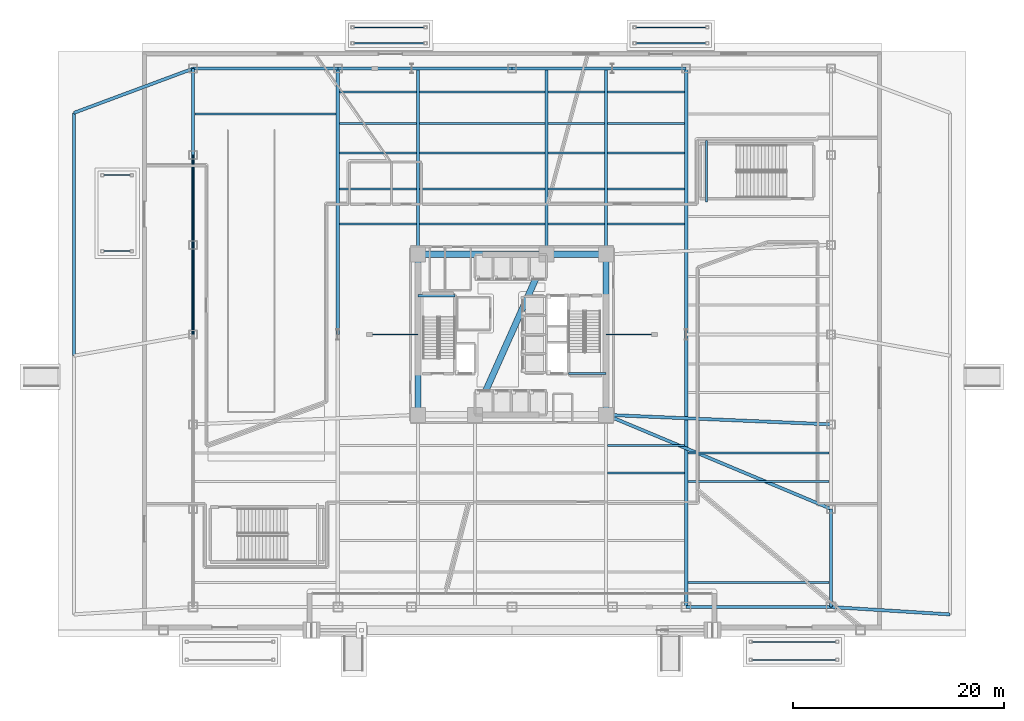
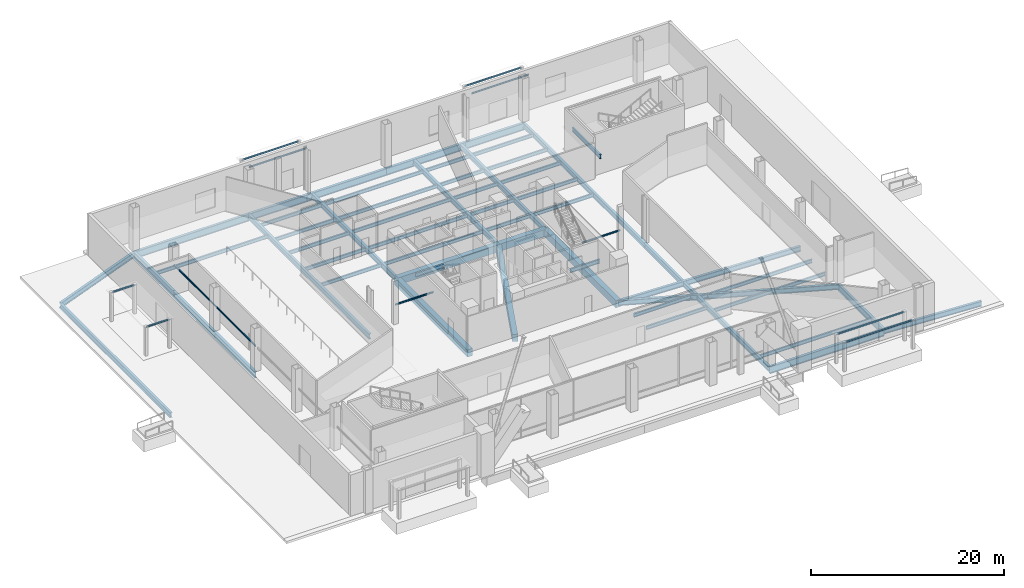
# One storey, part 10 of 27: 57 beams, 10 members.
"""IFC4 building model written with IfcOpenShell, lengths in metres."""

from ifc_helpers import new_model, si_unit, direction, frame, origin, origin_2d, place, context, subcontext, project, spatial, rectangle, i_section, extrude, material, material_profile, profile_set, type_object, element, save


model = new_model("IFC4")

# Units and contexts
model_context = context("Model", 3, precision=1e-05, world=origin(), true_north=direction((0.0, 1.0)))
body_context = subcontext(model_context, "Body", "Model", "MODEL_VIEW")
ifc_project = project(units=[si_unit("LENGTHUNIT", "METRE"), si_unit("AREAUNIT", "SQUARE_METRE"), si_unit("VOLUMEUNIT", "CUBIC_METRE"), si_unit("PLANEANGLEUNIT", "RADIAN"), si_unit("MASSUNIT", "GRAM", prefix="KILO")], contexts=[model_context])

# Site, building, storey
site_placement = place(None, origin())
site = spatial("IfcSite", under=ifc_project, at=site_placement, CompositionType="ELEMENT")
building_placement = place(site_placement, origin())
building = spatial("IfcBuilding", under=site, at=building_placement, Name="Tharavind Bronze Gate", CompositionType="ELEMENT")
storey_placement = place(building_placement, origin())
storey = spatial("IfcBuildingStorey", under=building, at=storey_placement, Name="L00", CompositionType="ELEMENT", Elevation=0.0)

# Members
ifc_material_1 = material(Name="Steel S355", Category="steel")
ifc_material_profile_1 = material_profile(ifc_material_1, i_section(OverallWidth=0.10009765625, OverallDepth=0.199951171875, WebThickness=0.005615234375, FlangeThickness=0.008544921875, at=origin_2d()), Name="IPE200")
ifc_profile_set_1 = profile_set([ifc_material_profile_1], Name="Steel S355")
member_type_1 = type_object("IfcMemberType", Name="CANOPY ROOF PURLIN IPE200", PredefinedType="PURLIN", material=ifc_profile_set_1)
for number, where, z_axis, x_axis, name in (
    (1, (22.60009765625, -30.800048828125, 3.60009765625), (1.0, 0.0, 0.0), (0.0, 1.0, 0.0), "L00 canopy purlin CN2.1"),
    (2, (22.60009765625, -29.10009765625, 3.60009765625), (1.0, 0.0, 0.0), (0.0, 1.0, 0.0), "L00 canopy purlin CN2.2"),
):
    element("IfcMember", number, at=place(storey_placement, frame(where, z_axis=z_axis, x_axis=x_axis)), inside=storey, type_object=member_type_1, Name=name, PredefinedType="PURLIN", context=body_context, shape_type="SweptSolid", body=[
        extrude(i_section(OverallWidth=0.10009765625, OverallDepth=0.199951171875, WebThickness=0.005615234375, FlangeThickness=0.008544921875, at=origin_2d()), origin(), (0.0, 0.0, 1.0), 8.199951171875),
    ])
for number, where, z_axis, x_axis, name in (
    (3, (-15.10009765625, 27.60009765625, 3.60009765625), (1.0, 0.0, 0.0), (0.0, 1.0, 0.0), "L00 canopy purlin CN3.1"),
    (4, (-15.10009765625, 29.10009765625, 3.60009765625), (1.0, 0.0, 0.0), (0.0, 1.0, 0.0), "L00 canopy purlin CN3.2"),
):
    element("IfcMember", number, at=place(storey_placement, frame(where, z_axis=z_axis, x_axis=x_axis)), inside=storey, type_object=member_type_1, Name=name, PredefinedType="PURLIN", context=body_context, shape_type="SweptSolid", body=[
        extrude(i_section(OverallWidth=0.10009765625, OverallDepth=0.199951171875, WebThickness=0.005615234375, FlangeThickness=0.008544921875, at=origin_2d()), origin(), (0.0, 0.0, 1.0), 6.900146484375),
    ])
for number, where, z_axis, x_axis, name in (
    (5, (11.60009765625, 27.60009765625, 3.60009765625), (1.0, 0.0, 0.0), (0.0, 1.0, 0.0), "L00 canopy purlin CN4.1"),
    (6, (11.60009765625, 29.10009765625, 3.60009765625), (1.0, 0.0, 0.0), (0.0, 1.0, 0.0), "L00 canopy purlin CN4.2"),
):
    element("IfcMember", number, at=place(storey_placement, frame(where, z_axis=z_axis, x_axis=x_axis)), inside=storey, type_object=member_type_1, Name=name, PredefinedType="PURLIN", context=body_context, shape_type="SweptSolid", body=[
        extrude(i_section(OverallWidth=0.10009765625, OverallDepth=0.199951171875, WebThickness=0.005615234375, FlangeThickness=0.008544921875, at=origin_2d()), origin(), (0.0, 0.0, 1.0), 6.89990234375),
    ])
for number, where, z_axis, x_axis, name in (
    (7, (-38.800048828125, 7.89990234375, 3.60009765625), (1.0, 0.0, 0.0), (0.0, 1.0, 0.0), "L00 canopy purlin CN5.1"),
    (8, (-38.800048828125, 15.10009765625, 3.60009765625), (1.0, 0.0, 0.0), (0.0, 1.0, 0.0), "L00 canopy purlin CN5.2"),
):
    element("IfcMember", number, at=place(storey_placement, frame(where, z_axis=z_axis, x_axis=x_axis)), inside=storey, type_object=member_type_1, Name=name, PredefinedType="PURLIN", context=body_context, shape_type="SweptSolid", body=[
        extrude(i_section(OverallWidth=0.10009765625, OverallDepth=0.199951171875, WebThickness=0.005615234375, FlangeThickness=0.008544921875, at=origin_2d()), origin(), (0.0, 0.0, 1.0), 2.800048828125),
    ])

# Beams
ifc_material_2 = material(Name="Concrete C50/60", Category="concrete")
ifc_material_profile_2 = material_profile(ifc_material_2, rectangle(XDim=0.60009765625, YDim=0.89990234375, at=origin_2d()), Name="RCBM600X900")
ifc_profile_set_2 = profile_set([ifc_material_profile_2], Name="Concrete C50/60")
beam_type_1 = type_object("IfcBeamType", Name="CORE COUPLING BEAM RC600X900", PredefinedType="BEAM", material=ifc_profile_set_2)
beam_1_placement = place(storey_placement, frame((8.89990234375, -7.60009765625, -0.75), z_axis=(0.0, 1.0, 0.0), x_axis=(-1.0, 0.0, 0.0)))
element("IfcBeam", 9, at=beam_1_placement, inside=storey, type_object=beam_type_1, Name="L00 core coupling beam rc600x900 BM-L00-CR3", PredefinedType="BEAM", context=body_context, shape_type="SweptSolid", body=[
    extrude(rectangle(XDim=0.60009765625, YDim=0.89990234375, at=origin_2d()), origin(), (0.0, 0.0, 1.0), 15.2001953125),
])
beam_2_placement = place(storey_placement, frame((8.89990234375, 7.60009765625, -0.75), z_axis=(-1.0, 0.0, 0.0), x_axis=(0.0, -1.0, 0.0)))
element("IfcBeam", 10, at=beam_2_placement, inside=storey, type_object=beam_type_1, Name="L00 core coupling beam rc600x900 BM-L00-CR4", PredefinedType="BEAM", context=body_context, shape_type="SweptSolid", body=[
    extrude(rectangle(XDim=0.60009765625, YDim=0.89990234375, at=origin_2d()), origin(), (0.0, 0.0, 1.0), 5.619873046875),
])
beam_3_placement = place(storey_placement, frame((3.280029296875, 7.60009765625, -0.75), z_axis=(-1.0, 0.0, 0.0), x_axis=(0.0, -1.0, 0.0)))
element("IfcBeam", 11, at=beam_3_placement, inside=storey, type_object=beam_type_1, Name="L00 core coupling beam rc600x900 BM-L00-CR5", PredefinedType="BEAM", context=body_context, shape_type="SweptSolid", body=[
    extrude(rectangle(XDim=0.60009765625, YDim=0.89990234375, at=origin_2d()), origin(), (0.0, 0.0, 1.0), 12.179931640625),
])
beam_4_placement = place(storey_placement, frame((-8.89990234375, 7.60009765625, -0.75), z_axis=(0.0, -1.0, 0.0), x_axis=(1.0, 0.0, 0.0)))
element("IfcBeam", 12, at=beam_4_placement, inside=storey, type_object=beam_type_1, Name="L00 core coupling beam rc600x900 BM-L00-CR6", PredefinedType="BEAM", context=body_context, shape_type="SweptSolid", body=[
    extrude(rectangle(XDim=0.60009765625, YDim=0.89990234375, at=origin_2d()), origin(), (0.0, 0.0, 1.0), 15.2001953125),
])
beam_5_placement = place(storey_placement, frame((-3.5, -7.60009765625, -0.75), z_axis=(0.407361644566, 0.913266932795, 0.0), x_axis=(-0.913266932795, 0.407361644566, 0.0)))
element("IfcBeam", 13, at=beam_5_placement, inside=storey, type_object=beam_type_1, Name="L00 core coupling beam rc600x900 BM-L00-CR7", PredefinedType="BEAM", context=body_context, shape_type="SweptSolid", body=[
    extrude(rectangle(XDim=0.60009765625, YDim=0.89990234375, at=origin_2d()), origin(), (0.0, 0.0, 1.0), 16.643798828125),
])
ifc_material_profile_3 = material_profile(ifc_material_1, i_section(OverallWidth=0.10009765625, OverallDepth=0.199951171875, WebThickness=0.005615234375, FlangeThickness=0.008544921875, at=origin_2d()), Name="IPE200")
ifc_profile_set_3 = profile_set([ifc_material_profile_3], Name="Steel S355")
beam_type_2 = type_object("IfcBeamType", Name="OPENING LINTEL BEAM IPE200", PredefinedType="LINTEL", material=ifc_profile_set_3)
for number, where, z_axis, x_axis, name in (
    (14, (-13.5, 0.0, 2.35009765625), (1.0, 0.0, 0.0), (0.0, 1.0, 0.0), "L00 opening lintel beam ipe200 BM-L00-LNT1"),
    (15, (8.89990234375, 0.0, 2.35009765625), (1.0, 0.0, 0.0), (0.0, 1.0, 0.0), "L00 opening lintel beam ipe200 BM-L00-LNT2"),
):
    element("IfcBeam", number, at=place(storey_placement, frame(where, z_axis=z_axis, x_axis=x_axis)), inside=storey, type_object=beam_type_2, Name=name, PredefinedType="LINTEL", context=body_context, shape_type="SweptSolid", body=[
        extrude(i_section(OverallWidth=0.10009765625, OverallDepth=0.199951171875, WebThickness=0.005615234375, FlangeThickness=0.008544921875, at=origin_2d()), origin(), (0.0, 0.0, 1.0), 4.60009765625),
    ])
ifc_material_profile_4 = material_profile(ifc_material_1, i_section(OverallWidth=0.300048828125, OverallDepth=0.64990234375, WebThickness=0.01611328125, FlangeThickness=0.031005859375, at=origin_2d()), Name="HE650B")
ifc_profile_set_4 = profile_set([ifc_material_profile_4], Name="Steel S355")
beam_type_3 = type_object("IfcBeamType", Name="PRIMARY GIRDER HE650B", PredefinedType="USERDEFINED", material=ifc_profile_set_4)
beam_6_placement = place(storey_placement, frame((30.199951171875, -25.800048828125, -0.625), z_axis=(0.998087077813, -0.061823823098, 0.0), x_axis=(0.061823823098, 0.998087077813, 0.0)))
element("IfcBeam", 16, at=beam_6_placement, inside=storey, type_object=beam_type_3, Name="L00 primary girder he650b BM-L00-BEX8", ObjectType="GIRDER", PredefinedType="USERDEFINED", context=body_context, shape_type="SweptSolid", body=[
    extrude(i_section(OverallWidth=0.300048828125, OverallDepth=0.64990234375, WebThickness=0.01611328125, FlangeThickness=0.031005859375, at=origin_2d()), origin(), (0.0, 0.0, 1.0), 11.32177734375),
])
beam_7_placement = place(storey_placement, frame((-41.5, 21.0, -0.625), z_axis=(0.937349705603, 0.348389910024, 0.0), x_axis=(-0.348389910024, 0.937349705603, 0.0)))
element("IfcBeam", 17, at=beam_7_placement, inside=storey, type_object=beam_type_3, Name="L00 primary girder he650b BM-L00-BWX56", ObjectType="GIRDER", PredefinedType="USERDEFINED", context=body_context, shape_type="SweptSolid", body=[
    extrude(i_section(OverallWidth=0.300048828125, OverallDepth=0.64990234375, WebThickness=0.01611328125, FlangeThickness=0.031005859375, at=origin_2d()), origin(), (0.0, 0.0, 1.0), 12.055419921875),
])
beam_8_placement = place(storey_placement, frame((-41.5, -2.0, -0.625), z_axis=(0.0, 1.0, 0.0), x_axis=(-1.0, 0.0, 0.0)))
element("IfcBeam", 18, at=beam_8_placement, inside=storey, type_object=beam_type_3, Name="L00 primary girder he650b BM-L00-BWN1", ObjectType="GIRDER", PredefinedType="USERDEFINED", context=body_context, shape_type="SweptSolid", body=[
    extrude(i_section(OverallWidth=0.300048828125, OverallDepth=0.64990234375, WebThickness=0.01611328125, FlangeThickness=0.031005859375, at=origin_2d()), origin(), (0.0, 0.0, 1.0), 23.0),
])
beam_9_placement = place(storey_placement, frame((-16.5, 0.0, -0.625), z_axis=(0.0, 1.0, 0.0), x_axis=(-1.0, 0.0, 0.0)))
element("IfcBeam", 19, at=beam_9_placement, inside=storey, type_object=beam_type_3, Name="L00 primary girder he650b BM-L00-GS1N", ObjectType="GIRDER", PredefinedType="USERDEFINED", context=body_context, shape_type="SweptSolid", body=[
    extrude(i_section(OverallWidth=0.300048828125, OverallDepth=0.64990234375, WebThickness=0.01611328125, FlangeThickness=0.031005859375, at=origin_2d()), origin(), (0.0, 0.0, 1.0), 25.199951171875),
])
beam_10_placement = place(storey_placement, frame((16.5, -25.800048828125, -0.625), z_axis=(0.0, 1.0, 0.0), x_axis=(-1.0, 0.0, 0.0)))
element("IfcBeam", 20, at=beam_10_placement, inside=storey, type_object=beam_type_3, Name="L00 primary girder he650b BM-L00-GS5S", ObjectType="GIRDER", PredefinedType="USERDEFINED", context=body_context, shape_type="SweptSolid", body=[
    extrude(i_section(OverallWidth=0.300048828125, OverallDepth=0.64990234375, WebThickness=0.01611328125, FlangeThickness=0.031005859375, at=origin_2d()), origin(), (0.0, 0.0, 1.0), 25.800048828125),
])
beam_11_placement = place(storey_placement, frame((16.5, 0.0, -0.625), z_axis=(0.0, 1.0, 0.0), x_axis=(-1.0, 0.0, 0.0)))
element("IfcBeam", 21, at=beam_11_placement, inside=storey, type_object=beam_type_3, Name="L00 primary girder he650b BM-L00-GS5N", ObjectType="GIRDER", PredefinedType="USERDEFINED", context=body_context, shape_type="SweptSolid", body=[
    extrude(i_section(OverallWidth=0.300048828125, OverallDepth=0.64990234375, WebThickness=0.01611328125, FlangeThickness=0.031005859375, at=origin_2d()), origin(), (0.0, 0.0, 1.0), 25.199951171875),
])
for number, where, z_axis, x_axis, name in (
    (22, (-8.89990234375, 25.199951171875, -0.625), (0.0, -1.0, 0.0), (1.0, 0.0, 0.0), "L00 primary girder he650b BM-L00-GN2"),
    (23, (3.280029296875, 25.199951171875, -0.625), (0.0, -1.0, 0.0), (1.0, 0.0, 0.0), "L00 primary girder he650b BM-L00-GN3"),
    (24, (8.89990234375, 25.199951171875, -0.625), (0.0, -1.0, 0.0), (1.0, 0.0, 0.0), "L00 primary girder he650b BM-L00-GN4"),
):
    element("IfcBeam", number, at=place(storey_placement, frame(where, z_axis=z_axis, x_axis=x_axis)), inside=storey, type_object=beam_type_3, Name=name, ObjectType="GIRDER", PredefinedType="USERDEFINED", context=body_context, shape_type="SweptSolid", body=[
        extrude(i_section(OverallWidth=0.300048828125, OverallDepth=0.64990234375, WebThickness=0.01611328125, FlangeThickness=0.031005859375, at=origin_2d()), origin(), (0.0, 0.0, 1.0), 17.599853515625),
    ])
beam_12_placement = place(storey_placement, frame((30.199951171875, -16.5, -0.625), z_axis=(-0.922693794082, 0.385533607307, 0.0), x_axis=(-0.385533607307, -0.922693794082, 0.0)))
element("IfcBeam", 25, at=beam_12_placement, inside=storey, type_object=beam_type_3, Name="L00 primary girder he650b BM-L00-GE0", ObjectType="GIRDER", PredefinedType="USERDEFINED", context=body_context, shape_type="SweptSolid", body=[
    extrude(i_section(OverallWidth=0.300048828125, OverallDepth=0.64990234375, WebThickness=0.01611328125, FlangeThickness=0.031005859375, at=origin_2d()), origin(), (0.0, 0.0, 1.0), 23.084716796875),
])
beam_13_placement = place(storey_placement, frame((30.199951171875, -8.5, -0.625), z_axis=(-0.999108710794, 0.04221118354, 0.0), x_axis=(-0.04221118354, -0.999108710794, 0.0)))
element("IfcBeam", 26, at=beam_13_placement, inside=storey, type_object=beam_type_3, Name="L00 primary girder he650b BM-L00-GE1", ObjectType="GIRDER", PredefinedType="USERDEFINED", context=body_context, shape_type="SweptSolid", body=[
    extrude(i_section(OverallWidth=0.300048828125, OverallDepth=0.64990234375, WebThickness=0.01611328125, FlangeThickness=0.031005859375, at=origin_2d()), origin(), (0.0, 0.0, 1.0), 21.319091796875),
])
ifc_material_profile_5 = material_profile(ifc_material_1, i_section(OverallWidth=0.199951171875, OverallDepth=0.5, WebThickness=0.01025390625, FlangeThickness=0.01611328125, at=origin_2d()), Name="IPE500")
ifc_profile_set_5 = profile_set([ifc_material_profile_5], Name="Steel S355")
beam_type_4 = type_object("IfcBeamType", Name="PRIMARY GIRDER IPE500", PredefinedType="USERDEFINED", material=ifc_profile_set_5)
beam_14_placement = place(storey_placement, frame((-8.89990234375, 3.679931640625, 2.300048828125), z_axis=(1.0, 0.0, 0.0), x_axis=(0.0, 1.0, 0.0)))
element("IfcBeam", 27, at=beam_14_placement, inside=storey, type_object=beam_type_4, Name="L00 primary girder ipe500 BM-LD-ST1-L00-1", ObjectType="GIRDER", PredefinedType="USERDEFINED", context=body_context, shape_type="SweptSolid", body=[
    extrude(i_section(OverallWidth=0.199951171875, OverallDepth=0.5, WebThickness=0.01025390625, FlangeThickness=0.01611328125, at=origin_2d()), origin(), (0.0, 0.0, 1.0), 3.5),
])
beam_15_placement = place(storey_placement, frame((5.35009765625, -3.679931640625, 2.300048828125), z_axis=(1.0, 0.0, 0.0), x_axis=(0.0, 1.0, 0.0)))
element("IfcBeam", 28, at=beam_15_placement, inside=storey, type_object=beam_type_4, Name="L00 primary girder ipe500 BM-LD-ST2-L00-1", ObjectType="GIRDER", PredefinedType="USERDEFINED", context=body_context, shape_type="SweptSolid", body=[
    extrude(i_section(OverallWidth=0.199951171875, OverallDepth=0.5, WebThickness=0.01025390625, FlangeThickness=0.01611328125, at=origin_2d()), origin(), (0.0, 0.0, 1.0), 3.5498046875),
])
beam_16_placement = place(storey_placement, frame((18.419921875, 12.550048828125, 2.300048828125), z_axis=(0.0, 1.0, 0.0), x_axis=(-1.0, 0.0, 0.0)))
element("IfcBeam", 29, at=beam_16_placement, inside=storey, type_object=beam_type_4, Name="L00 primary girder ipe500 BM-LD-ST4-L00-1", ObjectType="GIRDER", PredefinedType="USERDEFINED", context=body_context, shape_type="SweptSolid", body=[
    extrude(i_section(OverallWidth=0.199951171875, OverallDepth=0.5, WebThickness=0.01025390625, FlangeThickness=0.01611328125, at=origin_2d()), origin(), (0.0, 0.0, 1.0), 5.849853515625),
])
ifc_material_profile_6 = material_profile(ifc_material_1, i_section(OverallWidth=0.300048828125, OverallDepth=0.800048828125, WebThickness=0.017578125, FlangeThickness=0.032958984375, at=origin_2d()), Name="HE800B")
ifc_profile_set_6 = profile_set([ifc_material_profile_6], Name="Steel S355")
beam_type_5 = type_object("IfcBeamType", Name="RING GIRDER HE800B", PredefinedType="USERDEFINED", material=ifc_profile_set_6)
beam_17_placement = place(storey_placement, frame((30.199951171875, -25.800048828125, -0.699951171875), z_axis=(0.0, 1.0, 0.0), x_axis=(-1.0, 0.0, 0.0)))
element("IfcBeam", 30, at=beam_17_placement, inside=storey, type_object=beam_type_5, Name="L00 ring girder he800b BM-L00-PE1", ObjectType="GIRDER", PredefinedType="USERDEFINED", context=body_context, shape_type="SweptSolid", body=[
    extrude(i_section(OverallWidth=0.300048828125, OverallDepth=0.800048828125, WebThickness=0.017578125, FlangeThickness=0.032958984375, at=origin_2d()), origin(), (0.0, 0.0, 1.0), 9.300048828125),
])
for number, where, z_axis, x_axis, name in (
    (31, (-30.199951171875, 0.0, -0.699951171875), (0.0, 1.0, 0.0), (-1.0, 0.0, 0.0), "L00 ring girder he800b BM-L00-PW4"),
    (32, (-30.199951171875, 8.5, -0.699951171875), (0.0, 1.0, 0.0), (-1.0, 0.0, 0.0), "L00 ring girder he800b BM-L00-PW5"),
):
    element("IfcBeam", number, at=place(storey_placement, frame(where, z_axis=z_axis, x_axis=x_axis)), inside=storey, type_object=beam_type_5, Name=name, ObjectType="GIRDER", PredefinedType="USERDEFINED", context=body_context, shape_type="SweptSolid", body=[
        extrude(i_section(OverallWidth=0.300048828125, OverallDepth=0.800048828125, WebThickness=0.017578125, FlangeThickness=0.032958984375, at=origin_2d()), origin(), (0.0, 0.0, 1.0), 8.5),
    ])
beam_18_placement = place(storey_placement, frame((-30.199951171875, 17.0, -0.699951171875), z_axis=(0.0, 1.0, 0.0), x_axis=(-1.0, 0.0, 0.0)))
element("IfcBeam", 33, at=beam_18_placement, inside=storey, type_object=beam_type_5, Name="L00 ring girder he800b BM-L00-PW6", ObjectType="GIRDER", PredefinedType="USERDEFINED", context=body_context, shape_type="SweptSolid", body=[
    extrude(i_section(OverallWidth=0.300048828125, OverallDepth=0.800048828125, WebThickness=0.017578125, FlangeThickness=0.032958984375, at=origin_2d()), origin(), (0.0, 0.0, 1.0), 8.199951171875),
])
ifc_material_profile_7 = material_profile(ifc_material_1, i_section(OverallWidth=0.18994140625, OverallDepth=0.449951171875, WebThickness=0.009521484375, FlangeThickness=0.0146484375, at=origin_2d()), Name="IPE450")
ifc_profile_set_7 = profile_set([ifc_material_profile_7], Name="Steel S355")
beam_type_6 = type_object("IfcBeamType", Name="SECONDARY FLOOR JOIST IPE450", PredefinedType="JOIST", material=ifc_profile_set_7)
for number, where, z_axis, x_axis, name in (
    (34, (9.052001953125, -13.10009765625, -0.52490234375), (1.0, 0.0, 0.0), (0.0, 1.0, 0.0), "L00 secondary floor joist ipe450 BM-L00-JSS4E"),
    (35, (9.052001953125, -10.5, -0.52490234375), (1.0, 0.0, 0.0), (0.0, 1.0, 0.0), "L00 secondary floor joist ipe450 BM-L00-JSS5E"),
):
    element("IfcBeam", number, at=place(storey_placement, frame(where, z_axis=z_axis, x_axis=x_axis)), inside=storey, type_object=beam_type_6, Name=name, PredefinedType="JOIST", context=body_context, shape_type="SweptSolid", body=[
        extrude(i_section(OverallWidth=0.18994140625, OverallDepth=0.449951171875, WebThickness=0.009521484375, FlangeThickness=0.0146484375, at=origin_2d()), origin(), (0.0, 0.0, 1.0), 7.2958984375),
    ])
beam_19_placement = place(storey_placement, frame((-8.748046875, 10.5, -0.52490234375), z_axis=(1.0, 0.0, 0.0), x_axis=(0.0, 1.0, 0.0)))
element("IfcBeam", 36, at=beam_19_placement, inside=storey, type_object=beam_type_6, Name="L00 secondary floor joist ipe450 BM-L00-JSN1A", PredefinedType="JOIST", context=body_context, shape_type="SweptSolid", body=[
    extrude(i_section(OverallWidth=0.18994140625, OverallDepth=0.449951171875, WebThickness=0.009521484375, FlangeThickness=0.0146484375, at=origin_2d()), origin(), (0.0, 0.0, 1.0), 11.8759765625),
])
beam_20_placement = place(storey_placement, frame((3.431884765625, 10.5, -0.52490234375), z_axis=(1.0, 0.0, 0.0), x_axis=(0.0, 1.0, 0.0)))
element("IfcBeam", 37, at=beam_20_placement, inside=storey, type_object=beam_type_6, Name="L00 secondary floor joist ipe450 BM-L00-JSN1B", PredefinedType="JOIST", context=body_context, shape_type="SweptSolid", body=[
    extrude(i_section(OverallWidth=0.18994140625, OverallDepth=0.449951171875, WebThickness=0.009521484375, FlangeThickness=0.0146484375, at=origin_2d()), origin(), (0.0, 0.0, 1.0), 5.316162109375),
])
for number, where, z_axis, x_axis, name in (
    (38, (-16.347900390625, 10.5, -0.52490234375), (1.0, 0.0, 0.0), (0.0, 1.0, 0.0), "L00 secondary floor joist ipe450 BM-L00-JSN1W"),
    (39, (9.052001953125, 10.5, -0.52490234375), (1.0, 0.0, 0.0), (0.0, 1.0, 0.0), "L00 secondary floor joist ipe450 BM-L00-JSN1E"),
):
    element("IfcBeam", number, at=place(storey_placement, frame(where, z_axis=z_axis, x_axis=x_axis)), inside=storey, type_object=beam_type_6, Name=name, PredefinedType="JOIST", context=body_context, shape_type="SweptSolid", body=[
        extrude(i_section(OverallWidth=0.18994140625, OverallDepth=0.449951171875, WebThickness=0.009521484375, FlangeThickness=0.0146484375, at=origin_2d()), origin(), (0.0, 0.0, 1.0), 7.2958984375),
    ])
beam_21_placement = place(storey_placement, frame((-8.748046875, 13.800048828125, -0.52490234375), z_axis=(1.0, 0.0, 0.0), x_axis=(0.0, 1.0, 0.0)))
element("IfcBeam", 40, at=beam_21_placement, inside=storey, type_object=beam_type_6, Name="L00 secondary floor joist ipe450 BM-L00-JSN2A", PredefinedType="JOIST", context=body_context, shape_type="SweptSolid", body=[
    extrude(i_section(OverallWidth=0.18994140625, OverallDepth=0.449951171875, WebThickness=0.009521484375, FlangeThickness=0.0146484375, at=origin_2d()), origin(), (0.0, 0.0, 1.0), 11.8759765625),
])
beam_22_placement = place(storey_placement, frame((3.431884765625, 13.800048828125, -0.52490234375), z_axis=(1.0, 0.0, 0.0), x_axis=(0.0, 1.0, 0.0)))
element("IfcBeam", 41, at=beam_22_placement, inside=storey, type_object=beam_type_6, Name="L00 secondary floor joist ipe450 BM-L00-JSN2B", PredefinedType="JOIST", context=body_context, shape_type="SweptSolid", body=[
    extrude(i_section(OverallWidth=0.18994140625, OverallDepth=0.449951171875, WebThickness=0.009521484375, FlangeThickness=0.0146484375, at=origin_2d()), origin(), (0.0, 0.0, 1.0), 5.316162109375),
])
for number, where, z_axis, x_axis, name in (
    (42, (-16.347900390625, 13.800048828125, -0.52490234375), (1.0, 0.0, 0.0), (0.0, 1.0, 0.0), "L00 secondary floor joist ipe450 BM-L00-JSN2W"),
    (43, (9.052001953125, 13.800048828125, -0.52490234375), (1.0, 0.0, 0.0), (0.0, 1.0, 0.0), "L00 secondary floor joist ipe450 BM-L00-JSN2E"),
):
    element("IfcBeam", number, at=place(storey_placement, frame(where, z_axis=z_axis, x_axis=x_axis)), inside=storey, type_object=beam_type_6, Name=name, PredefinedType="JOIST", context=body_context, shape_type="SweptSolid", body=[
        extrude(i_section(OverallWidth=0.18994140625, OverallDepth=0.449951171875, WebThickness=0.009521484375, FlangeThickness=0.0146484375, at=origin_2d()), origin(), (0.0, 0.0, 1.0), 7.2958984375),
    ])
beam_23_placement = place(storey_placement, frame((-8.748046875, 17.199951171875, -0.52490234375), z_axis=(1.0, 0.0, 0.0), x_axis=(0.0, 1.0, 0.0)))
element("IfcBeam", 44, at=beam_23_placement, inside=storey, type_object=beam_type_6, Name="L00 secondary floor joist ipe450 BM-L00-JSN3A", PredefinedType="JOIST", context=body_context, shape_type="SweptSolid", body=[
    extrude(i_section(OverallWidth=0.18994140625, OverallDepth=0.449951171875, WebThickness=0.009521484375, FlangeThickness=0.0146484375, at=origin_2d()), origin(), (0.0, 0.0, 1.0), 11.8759765625),
])
beam_24_placement = place(storey_placement, frame((3.431884765625, 17.199951171875, -0.52490234375), z_axis=(1.0, 0.0, 0.0), x_axis=(0.0, 1.0, 0.0)))
element("IfcBeam", 45, at=beam_24_placement, inside=storey, type_object=beam_type_6, Name="L00 secondary floor joist ipe450 BM-L00-JSN3B", PredefinedType="JOIST", context=body_context, shape_type="SweptSolid", body=[
    extrude(i_section(OverallWidth=0.18994140625, OverallDepth=0.449951171875, WebThickness=0.009521484375, FlangeThickness=0.0146484375, at=origin_2d()), origin(), (0.0, 0.0, 1.0), 5.316162109375),
])
for number, where, z_axis, x_axis, name in (
    (46, (-16.347900390625, 17.199951171875, -0.52490234375), (1.0, 0.0, 0.0), (0.0, 1.0, 0.0), "L00 secondary floor joist ipe450 BM-L00-JSN3W"),
    (47, (9.052001953125, 17.199951171875, -0.52490234375), (1.0, 0.0, 0.0), (0.0, 1.0, 0.0), "L00 secondary floor joist ipe450 BM-L00-JSN3E"),
):
    element("IfcBeam", number, at=place(storey_placement, frame(where, z_axis=z_axis, x_axis=x_axis)), inside=storey, type_object=beam_type_6, Name=name, PredefinedType="JOIST", context=body_context, shape_type="SweptSolid", body=[
        extrude(i_section(OverallWidth=0.18994140625, OverallDepth=0.449951171875, WebThickness=0.009521484375, FlangeThickness=0.0146484375, at=origin_2d()), origin(), (0.0, 0.0, 1.0), 7.2958984375),
    ])
beam_25_placement = place(storey_placement, frame((-8.748046875, 20.0, -0.52490234375), z_axis=(1.0, 0.0, 0.0), x_axis=(0.0, 1.0, 0.0)))
element("IfcBeam", 48, at=beam_25_placement, inside=storey, type_object=beam_type_6, Name="L00 secondary floor joist ipe450 BM-L00-JSN4A", PredefinedType="JOIST", context=body_context, shape_type="SweptSolid", body=[
    extrude(i_section(OverallWidth=0.18994140625, OverallDepth=0.449951171875, WebThickness=0.009521484375, FlangeThickness=0.0146484375, at=origin_2d()), origin(), (0.0, 0.0, 1.0), 11.8759765625),
])
beam_26_placement = place(storey_placement, frame((3.431884765625, 20.0, -0.52490234375), z_axis=(1.0, 0.0, 0.0), x_axis=(0.0, 1.0, 0.0)))
element("IfcBeam", 49, at=beam_26_placement, inside=storey, type_object=beam_type_6, Name="L00 secondary floor joist ipe450 BM-L00-JSN4B", PredefinedType="JOIST", context=body_context, shape_type="SweptSolid", body=[
    extrude(i_section(OverallWidth=0.18994140625, OverallDepth=0.449951171875, WebThickness=0.009521484375, FlangeThickness=0.0146484375, at=origin_2d()), origin(), (0.0, 0.0, 1.0), 5.316162109375),
])
for number, where, z_axis, x_axis, name in (
    (50, (-16.347900390625, 20.0, -0.52490234375), (1.0, 0.0, 0.0), (0.0, 1.0, 0.0), "L00 secondary floor joist ipe450 BM-L00-JSN4W"),
    (51, (9.052001953125, 20.0, -0.52490234375), (1.0, 0.0, 0.0), (0.0, 1.0, 0.0), "L00 secondary floor joist ipe450 BM-L00-JSN4E"),
):
    element("IfcBeam", number, at=place(storey_placement, frame(where, z_axis=z_axis, x_axis=x_axis)), inside=storey, type_object=beam_type_6, Name=name, PredefinedType="JOIST", context=body_context, shape_type="SweptSolid", body=[
        extrude(i_section(OverallWidth=0.18994140625, OverallDepth=0.449951171875, WebThickness=0.009521484375, FlangeThickness=0.0146484375, at=origin_2d()), origin(), (0.0, 0.0, 1.0), 7.2958984375),
    ])
beam_27_placement = place(storey_placement, frame((-8.748046875, 23.0, -0.52490234375), z_axis=(1.0, 0.0, 0.0), x_axis=(0.0, 1.0, 0.0)))
element("IfcBeam", 52, at=beam_27_placement, inside=storey, type_object=beam_type_6, Name="L00 secondary floor joist ipe450 BM-L00-JSN5A", PredefinedType="JOIST", context=body_context, shape_type="SweptSolid", body=[
    extrude(i_section(OverallWidth=0.18994140625, OverallDepth=0.449951171875, WebThickness=0.009521484375, FlangeThickness=0.0146484375, at=origin_2d()), origin(), (0.0, 0.0, 1.0), 11.8759765625),
])
beam_28_placement = place(storey_placement, frame((3.431884765625, 23.0, -0.52490234375), z_axis=(1.0, 0.0, 0.0), x_axis=(0.0, 1.0, 0.0)))
element("IfcBeam", 53, at=beam_28_placement, inside=storey, type_object=beam_type_6, Name="L00 secondary floor joist ipe450 BM-L00-JSN5B", PredefinedType="JOIST", context=body_context, shape_type="SweptSolid", body=[
    extrude(i_section(OverallWidth=0.18994140625, OverallDepth=0.449951171875, WebThickness=0.009521484375, FlangeThickness=0.0146484375, at=origin_2d()), origin(), (0.0, 0.0, 1.0), 5.316162109375),
])
for number, where, z_axis, x_axis, name in (
    (54, (-16.347900390625, 23.0, -0.52490234375), (1.0, 0.0, 0.0), (0.0, 1.0, 0.0), "L00 secondary floor joist ipe450 BM-L00-JSN5W"),
    (55, (9.052001953125, 23.0, -0.52490234375), (1.0, 0.0, 0.0), (0.0, 1.0, 0.0), "L00 secondary floor joist ipe450 BM-L00-JSN5E"),
):
    element("IfcBeam", number, at=place(storey_placement, frame(where, z_axis=z_axis, x_axis=x_axis)), inside=storey, type_object=beam_type_6, Name=name, PredefinedType="JOIST", context=body_context, shape_type="SweptSolid", body=[
        extrude(i_section(OverallWidth=0.18994140625, OverallDepth=0.449951171875, WebThickness=0.009521484375, FlangeThickness=0.0146484375, at=origin_2d()), origin(), (0.0, 0.0, 1.0), 7.2958984375),
    ])
for number, where, z_axis, x_axis, name in (
    (56, (16.652099609375, -23.5, -0.52490234375), (1.0, 0.0, 0.0), (0.0, 1.0, 0.0), "L00 secondary floor joist ipe450 BM-L00-JSEE1"),
    (57, (16.652099609375, -13.89990234375, -0.52490234375), (1.0, 0.0, 0.0), (0.0, 1.0, 0.0), "L00 secondary floor joist ipe450 BM-L00-JSEE2"),
    (58, (16.652099609375, -11.199951171875, -0.52490234375), (1.0, 0.0, 0.0), (0.0, 1.0, 0.0), "L00 secondary floor joist ipe450 BM-L00-JSEE3"),
    (59, (-30.0400390625, 20.89990234375, -0.52490234375), (1.0, 0.0, 0.0), (0.0, 1.0, 0.0), "L00 secondary floor joist ipe450 BM-L00-JSWW9"),
):
    element("IfcBeam", number, at=place(storey_placement, frame(where, z_axis=z_axis, x_axis=x_axis)), inside=storey, type_object=beam_type_6, Name=name, PredefinedType="JOIST", context=body_context, shape_type="SweptSolid", body=[
        extrude(i_section(OverallWidth=0.18994140625, OverallDepth=0.449951171875, WebThickness=0.009521484375, FlangeThickness=0.0146484375, at=origin_2d()), origin(), (0.0, 0.0, 1.0), 13.387939453125),
    ])

# Members
ifc_material_3 = material(Name="Anodised Bronze Aluminium", Category="aluminium")
ifc_material_profile_8 = material_profile(ifc_material_3, i_section(OverallWidth=0.10009765625, OverallDepth=0.199951171875, WebThickness=0.005615234375, FlangeThickness=0.008544921875, at=origin_2d()), Name="IPE200")
ifc_profile_set_8 = profile_set([ifc_material_profile_8], Name="Anodised Bronze Aluminium")
member_type_2 = type_object("IfcMemberType", Name="SOLAR LOUVRE BLADE", PredefinedType="USERDEFINED", material=ifc_profile_set_8)
for number, where, z_axis, x_axis, name in (
    (60, (-30.199951171875, 0.0, 2.949951171875), (0.0, 1.0, 0.0), (-1.0, 0.0, 0.0), "L00 west gallery solar louvre 4"),
    (61, (-30.199951171875, 8.5, 2.949951171875), (0.0, 1.0, 0.0), (-1.0, 0.0, 0.0), "L00 west gallery solar louvre 5"),
):
    element("IfcMember", number, at=place(storey_placement, frame(where, z_axis=z_axis, x_axis=x_axis)), inside=storey, type_object=member_type_2, Name=name, ObjectType="SOLAR LOUVRE", PredefinedType="USERDEFINED", context=body_context, shape_type="SweptSolid", body=[
        extrude(i_section(OverallWidth=0.10009765625, OverallDepth=0.199951171875, WebThickness=0.005615234375, FlangeThickness=0.008544921875, at=origin_2d()), origin(), (0.0, 0.0, 1.0), 8.5),
    ])

# Beams
ifc_material_profile_9 = material_profile(ifc_material_1, i_section(OverallWidth=0.300048828125, OverallDepth=0.89990234375, WebThickness=0.0185546875, FlangeThickness=0.034912109375, at=origin_2d()), Name="HE900B")
ifc_profile_set_9 = profile_set([ifc_material_profile_9], Name="Steel S355")
beam_type_7 = type_object("IfcBeamType", Name="SPANDREL RING BEAM HE900B", PredefinedType="SPANDREL", material=ifc_profile_set_9)
beam_29_placement = place(storey_placement, frame((-30.199951171875, 25.199951171875, -0.75), z_axis=(1.0, 0.0, 0.0), x_axis=(0.0, 1.0, 0.0)))
element("IfcBeam", 62, at=beam_29_placement, inside=storey, type_object=beam_type_7, Name="L00 spandrel ring beam he900b BM-L00-PN1", PredefinedType="SPANDREL", context=body_context, shape_type="SweptSolid", body=[
    extrude(i_section(OverallWidth=0.300048828125, OverallDepth=0.89990234375, WebThickness=0.0185546875, FlangeThickness=0.034912109375, at=origin_2d()), origin(), (0.0, 0.0, 1.0), 13.699951171875),
])
beam_30_placement = place(storey_placement, frame((-16.5, 25.199951171875, -0.75), z_axis=(1.0, 0.0, 0.0), x_axis=(0.0, 1.0, 0.0)))
element("IfcBeam", 63, at=beam_30_placement, inside=storey, type_object=beam_type_7, Name="L00 spandrel ring beam he900b BM-L00-PN2", PredefinedType="SPANDREL", context=body_context, shape_type="SweptSolid", body=[
    extrude(i_section(OverallWidth=0.300048828125, OverallDepth=0.89990234375, WebThickness=0.0185546875, FlangeThickness=0.034912109375, at=origin_2d()), origin(), (0.0, 0.0, 1.0), 7.0),
])
for number, where, z_axis, x_axis, name in (
    (64, (-9.5, 25.199951171875, -0.75), (1.0, 0.0, 0.0), (0.0, 1.0, 0.0), "L00 spandrel ring beam he900b BM-L00-PN3"),
    (65, (0.0, 25.199951171875, -0.75), (1.0, 0.0, 0.0), (0.0, 1.0, 0.0), "L00 spandrel ring beam he900b BM-L00-PN4"),
):
    element("IfcBeam", number, at=place(storey_placement, frame(where, z_axis=z_axis, x_axis=x_axis)), inside=storey, type_object=beam_type_7, Name=name, PredefinedType="SPANDREL", context=body_context, shape_type="SweptSolid", body=[
        extrude(i_section(OverallWidth=0.300048828125, OverallDepth=0.89990234375, WebThickness=0.0185546875, FlangeThickness=0.034912109375, at=origin_2d()), origin(), (0.0, 0.0, 1.0), 9.5),
    ])
beam_31_placement = place(storey_placement, frame((9.5, 25.199951171875, -0.75), z_axis=(1.0, 0.0, 0.0), x_axis=(0.0, 1.0, 0.0)))
element("IfcBeam", 66, at=beam_31_placement, inside=storey, type_object=beam_type_7, Name="L00 spandrel ring beam he900b BM-L00-PN5", PredefinedType="SPANDREL", context=body_context, shape_type="SweptSolid", body=[
    extrude(i_section(OverallWidth=0.300048828125, OverallDepth=0.89990234375, WebThickness=0.0185546875, FlangeThickness=0.034912109375, at=origin_2d()), origin(), (0.0, 0.0, 1.0), 7.0),
])
beam_32_placement = place(storey_placement, frame((16.5, -25.800048828125, -0.75), z_axis=(1.0, 0.0, 0.0), x_axis=(0.0, 1.0, 0.0)))
element("IfcBeam", 67, at=beam_32_placement, inside=storey, type_object=beam_type_7, Name="L00 spandrel ring beam he900b BM-L00-PS6", PredefinedType="SPANDREL", context=body_context, shape_type="SweptSolid", body=[
    extrude(i_section(OverallWidth=0.300048828125, OverallDepth=0.89990234375, WebThickness=0.0185546875, FlangeThickness=0.034912109375, at=origin_2d()), origin(), (0.0, 0.0, 1.0), 13.699951171875),
])

save(model, "model.ifc")
